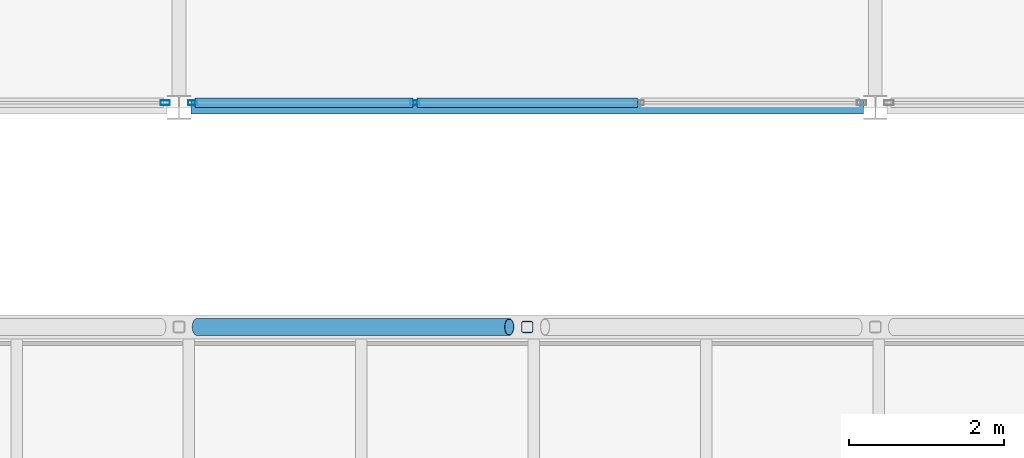
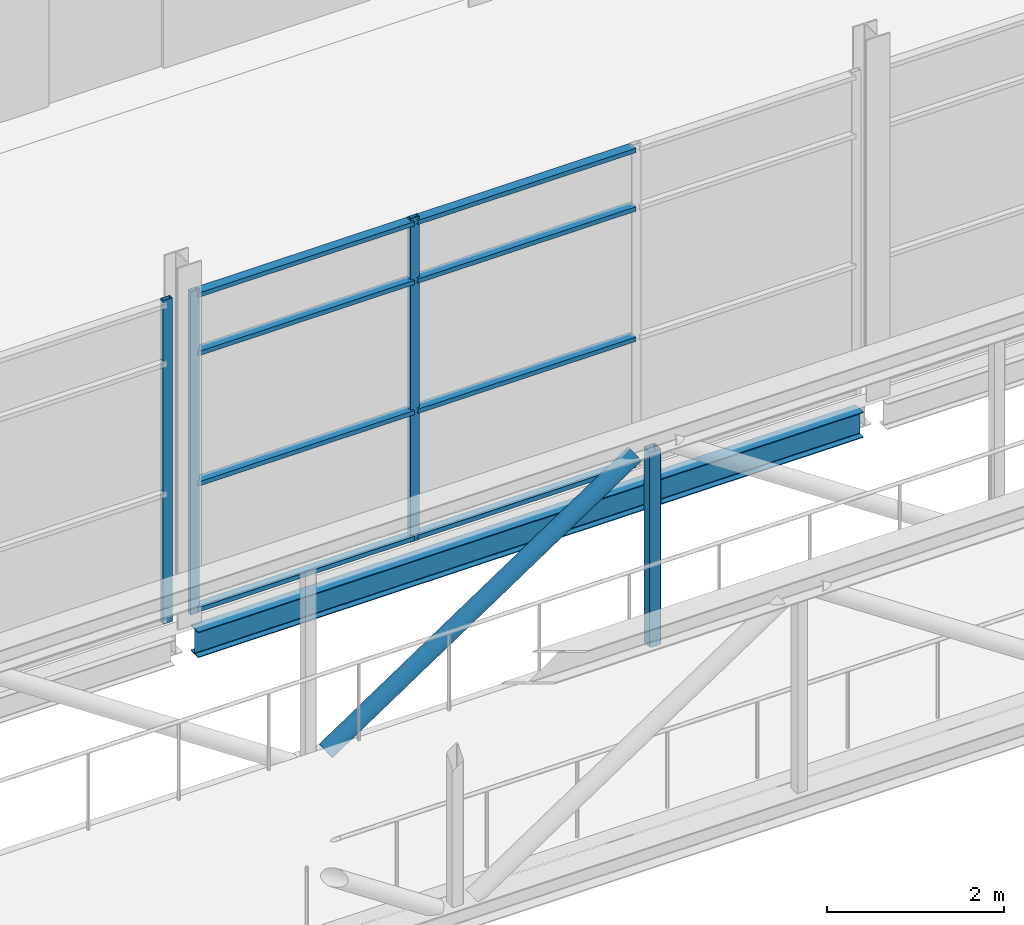
# One storey, part 28 of 94: 13 members, 1 beam, 2 elements without a shape of their own.
"""IFC4 building model written with IfcOpenShell, lengths in metres."""

import ifcopenshell
import ifcopenshell.guid

model = None  # the IFC model being written
_history = None  # IfcOwnerHistory: only IFC2X3 demands one
_inside = {}  # id of a spatial element -> (the spatial element, [elements in it])
_under = {}  # id of a project, library or spatial element -> (it, [spatial elements below it])
_declared = {}  # id of a project -> (the project, [libraries it declares])
_typed = {}  # id of a type object -> (the type object, [elements of that type])
_made_of = {}  # id of a material, layer set ... -> (it, [elements and type objects made of it])


def new_model(schema):
    """Start an empty IFC model of exactly this schema.

    Asked for "IFC4X3", IfcOpenShell would pick the latest addendum, in which some entities
    have other attributes; the version numbers below select the first issue.
    IFC2X3 requires an IfcOwnerHistory on every rooted entity: one is made here for all.
    """
    global model, _history
    if schema == "IFC4X3":
        model = ifcopenshell.file(schema_version=(4, 3, 0, 0))
    else:
        model = ifcopenshell.file(schema=schema)
    _inside.clear()
    _under.clear()
    _declared.clear()
    _typed.clear()
    _made_of.clear()
    _history = None
    if model.schema == "IFC2X3":
        org = make("IfcOrganization", Name="unknown")
        user = make(
            "IfcPersonAndOrganization",
            ThePerson=make("IfcPerson", FamilyName="unknown"),
            TheOrganization=org,
        )
        app = make(
            "IfcApplication",
            ApplicationDeveloper=org,
            Version="unknown",
            ApplicationFullName="unknown",
            ApplicationIdentifier="unknown",
        )
        _history = make(
            "IfcOwnerHistory",
            OwningUser=user,
            OwningApplication=app,
            ChangeAction="ADDED",
            CreationDate=0,
        )
    return model


def make(cls, **values):
    """One entity of the class cls with the attributes given. An attribute that is None is left unset."""
    return model.create_entity(
        cls, **{name: value for name, value in values.items() if value is not None}
    )


def rooted(cls, **values):
    """An entity with a GlobalId (a new one), such as an element, a storey or a relation."""
    return make(cls, GlobalId=ifcopenshell.guid.new(), OwnerHistory=_history, **values)


def si_unit(unit_type, name, prefix=None):
    """IfcSIUnit, for example si_unit("LENGTHUNIT", "METRE", prefix="MILLI")."""
    return make("IfcSIUnit", UnitType=unit_type, Prefix=prefix, Name=name)


def assignment(units):
    """IfcUnitAssignment: the units of a project."""
    return None if units is None else make("IfcUnitAssignment", Units=units)


def point(xyz):
    """IfcCartesianPoint."""
    return None if xyz is None else make("IfcCartesianPoint", Coordinates=xyz)


def direction(xyz):
    """IfcDirection."""
    return None if xyz is None else make("IfcDirection", DirectionRatios=xyz)


def frame(location, z_axis=None, x_axis=None):
    """IfcAxis2Placement3D, a coordinate frame: its origin and axes. An axis left out is left unset."""
    return make(
        "IfcAxis2Placement3D",
        Location=point(location),
        Axis=direction(z_axis),
        RefDirection=direction(x_axis),
    )


def frame_2d(location, x_axis=None):
    """IfcAxis2Placement2D, a coordinate frame in the plane: its origin and x axis."""
    return make(
        "IfcAxis2Placement2D", Location=point(location), RefDirection=direction(x_axis)
    )


def origin():
    """The frame at (0, 0, 0) with its axes left unset."""
    return frame((0.0, 0.0, 0.0))


def origin_2d():
    """The frame at (0, 0) in the plane with its x axis left unset."""
    return frame_2d((0.0, 0.0))


def place(relative_to, where):
    """IfcLocalPlacement: puts the frame where relative to a parent placement (None: the world)."""
    return make(
        "IfcLocalPlacement", PlacementRelTo=relative_to, RelativePlacement=where
    )


def context(
    kind, dimensions, precision=None, world=None, true_north=None, identifier=None
):
    """IfcGeometricRepresentationContext, for example the 3D "Model" context."""
    return make(
        "IfcGeometricRepresentationContext",
        ContextIdentifier=identifier,
        ContextType=kind,
        CoordinateSpaceDimension=dimensions,
        Precision=precision,
        WorldCoordinateSystem=world,
        TrueNorth=true_north,
    )


def subcontext(parent, identifier, kind, view, scale=None):
    """IfcGeometricRepresentationSubContext, for example "Body" below "Model"."""
    return make(
        "IfcGeometricRepresentationSubContext",
        ContextIdentifier=identifier,
        ContextType=kind,
        ParentContext=parent,
        TargetScale=scale,
        TargetView=view,
    )


def project(units=None, contexts=None):
    """IfcProject with its units and contexts."""
    return rooted(
        "IfcProject",
        Name="project",
        RepresentationContexts=contexts,
        UnitsInContext=assignment(units),
    )


def spatial(cls, under=None, at=None, **own):
    """A site, building, storey or space (cls), placed at a placement, below another one or the project."""
    s = rooted(cls, ObjectPlacement=at, **own)
    if under is not None:
        _under.setdefault(under.id(), (under, []))[1].append(s)
    return s


def profile(cls, at=None, kind="AREA", **sizes):
    """A parametric profile (cls). Its sizes go by their IFC names, for example OverallWidth=200.0."""
    return make(cls, ProfileType=kind, Position=at, **sizes)


def hollow_rectangle(**sizes):
    """IfcRectangleHollowProfileDef."""
    return profile("IfcRectangleHollowProfileDef", **sizes)


def hollow_circle(**sizes):
    """IfcCircleHollowProfileDef."""
    return profile("IfcCircleHollowProfileDef", **sizes)


def i_section(**sizes):
    """IfcIShapeProfileDef."""
    return profile("IfcIShapeProfileDef", **sizes)


def extrude(swept, where, along, depth):
    """IfcExtrudedAreaSolid: the profile swept, set in the frame where, extruded along a direction by depth."""
    return make(
        "IfcExtrudedAreaSolid",
        SweptArea=swept,
        Position=where,
        ExtrudedDirection=direction(along),
        Depth=depth,
    )


def shape(context_of_items, identifier, shape_type, items):
    """IfcShapeRepresentation: the items that make up one representation, for example the "Body"."""
    return make(
        "IfcShapeRepresentation",
        ContextOfItems=context_of_items,
        RepresentationIdentifier=identifier,
        RepresentationType=shape_type,
        Items=items,
    )


def material(Name=None, Category=None):
    """IfcMaterial."""
    return make("IfcMaterial", Name=Name, Category=Category)


def layer(
    of_material, thickness, ventilated=None, Name=None, Category=None, Priority=None
):
    """IfcMaterialLayer: one layer of a wall or slab, of a material (None: an air gap)."""
    return make(
        "IfcMaterialLayer",
        Material=of_material,
        LayerThickness=thickness,
        IsVentilated=ventilated,
        Name=Name,
        Category=Category,
        Priority=Priority,
    )


def layer_set(layers, Name=None):
    """IfcMaterialLayerSet."""
    return make("IfcMaterialLayerSet", MaterialLayers=layers, LayerSetName=Name)


def material_profile(
    of_material, cross_section, Name=None, Category=None, Priority=None
):
    """IfcMaterialProfile: a cross section and its material."""
    return make(
        "IfcMaterialProfile",
        Name=Name,
        Material=of_material,
        Profile=cross_section,
        Priority=Priority,
        Category=Category,
    )


def profile_set(profiles, Name=None, composite=None):
    """IfcMaterialProfileSet."""
    return make(
        "IfcMaterialProfileSet",
        Name=Name,
        MaterialProfiles=profiles,
        CompositeProfile=composite,
    )


def made_of(thing, what):
    """Note that an element or type object is made of a material, layer set ...; save() writes the relation."""
    if what is not None:
        _made_of.setdefault(what.id(), (what, []))[1].append(thing)
    return thing


def type_object(cls, material=None, **own):
    """A type object (cls), such as IfcWallType, which elements share."""
    return made_of(rooted(cls, **own), material)


def element(
    cls,
    number,
    at=None,
    inside=None,
    cuts=None,
    type_object=None,
    material=None,
    context=None,
    identifier="Body",
    shape_type=None,
    held_by="IfcProductDefinitionShape",
    body=None,
    shapes=None,
    **own,
):
    """One element of the class cls, such as IfcWall. Its Tag is "e" and its number.

    at: its placement. inside: the storey or other place that contains it. cuts: it is an
    opening in that element (IfcRelVoidsElement). A single representation is given by context,
    identifier, shape_type and body (its items); several are given by shapes. held_by: the class
    of the entity that holds the representations. save() writes the other relations.
    """
    e = rooted(cls, Tag="e%d" % number, ObjectPlacement=at, **own)
    if body is not None:
        shapes = [shape(context, identifier, shape_type, body)]
    if shapes is not None:
        e.Representation = make(held_by, Representations=shapes)
    if inside is not None:
        _inside.setdefault(inside.id(), (inside, []))[1].append(e)
    if cuts is not None:
        rooted(
            "IfcRelVoidsElement", RelatingBuildingElement=cuts, RelatedOpeningElement=e
        )
    if type_object is not None:
        _typed.setdefault(type_object.id(), (type_object, []))[1].append(e)
    return made_of(e, material)


def aggregate(whole, parts):
    """IfcRelAggregates: a whole, such as a stair, and the parts it consists of."""
    return rooted("IfcRelAggregates", RelatingObject=whole, RelatedObjects=parts)


def save(model, path):
    """Write the relations noted so far, then the file.

    IfcRelAggregates (storeys below a building ...), IfcRelContainedInSpatialStructure (elements
    in a storey), IfcRelDefinesByType, IfcRelAssociatesMaterial and IfcRelDeclares: one each for
    every whole, place, type object, material and project.
    """
    for whole, parts in _under.values():
        aggregate(whole, parts)
    for where, things in _inside.values():
        rooted(
            "IfcRelContainedInSpatialStructure",
            RelatedElements=things,
            RelatingStructure=where,
        )
    for kind, things in _typed.values():
        rooted("IfcRelDefinesByType", RelatedObjects=things, RelatingType=kind)
    for what, things in _made_of.values():
        rooted("IfcRelAssociatesMaterial", RelatedObjects=things, RelatingMaterial=what)
    for by, libraries in _declared.values():
        rooted("IfcRelDeclares", RelatingContext=by, RelatedDefinitions=libraries)
    model.write(path)


model = new_model("IFC4")

# Units and contexts
model_context = context("Model", 3, precision=1e-05, world=origin(), true_north=direction((0.0, 1.0)))
body_context = subcontext(model_context, "Body", "Model", "MODEL_VIEW")
ifc_project = project(units=[si_unit("LENGTHUNIT", "METRE"), si_unit("AREAUNIT", "SQUARE_METRE"), si_unit("VOLUMEUNIT", "CUBIC_METRE"), si_unit("PLANEANGLEUNIT", "RADIAN"), si_unit("MASSUNIT", "GRAM", prefix="KILO")], contexts=[model_context])

# Site, building, storey
site_placement = place(None, origin())
site = spatial("IfcSite", under=ifc_project, at=site_placement, CompositionType="ELEMENT")
building_placement = place(site_placement, origin())
building = spatial("IfcBuilding", under=site, at=building_placement, Name="Shorebreak Coast Museum", CompositionType="ELEMENT")
storey_placement = place(building_placement, frame((0.0, 0.0, 31.0)))
storey = spatial("IfcBuildingStorey", under=building, at=storey_placement, Name="L05", CompositionType="ELEMENT", Elevation=31.0)

# Members
ifc_material_1 = material(Name="Steel Grade C350L0", Category="steel")
ifc_material_profile_1 = material_profile(ifc_material_1, hollow_circle(Radius=0.109619140625, WallThickness=0.00830078125, at=origin_2d()), Name="219.1x8.2 CHS")
ifc_profile_set_1 = profile_set([ifc_material_profile_1], Name="Steel Grade C350L0")
member_type_1 = type_object("IfcMemberType", Name="Atrium bridge truss diagonal 219.1x8.2 CHS", PredefinedType="BRACE", material=ifc_profile_set_1)
member_1_placement = place(storey_placement, frame((72.23095703125, 78.16259765625, -0.175048828125), z_axis=(0.832042555046, 0.0, 0.554711804987), x_axis=(0.0, 1.0, 0.0)))
element("IfcMember", 1, at=member_1_placement, inside=storey, type_object=member_type_1, Name="Atrium bridge truss BR3 side B diagonal D03", PredefinedType="BRACE", context=body_context, shape_type="SweptSolid", body=[
    extrude(hollow_circle(Radius=0.109619140625, WallThickness=0.00830078125, at=origin_2d()), origin(), (0.0, 0.0, 1.0), 4.853271484375),
])
ifc_material_2 = material(Name="Steel Grade C450L0", Category="steel")
ifc_material_profile_2 = material_profile(ifc_material_2, hollow_rectangle(XDim=0.14990234375, YDim=0.14990234375, WallThickness=0.009033203125, InnerFilletRadius=0.013427734375, OuterFilletRadius=0.0224609375, at=origin_2d()), Name="150x150x9.0 SHS")
ifc_profile_set_2 = profile_set([ifc_material_profile_2], Name="Steel Grade C450L0")
member_type_2 = type_object("IfcMemberType", Name="Atrium bridge truss strut 150x150x9.0 SHS", PredefinedType="STRUT", material=ifc_profile_set_2)
member_2_placement = place(storey_placement, frame((76.5, 78.16259765625, -0.175048828125), z_axis=(0.0, 0.0, 1.0), x_axis=(1.0, 0.0, 0.0)))
element("IfcMember", 2, at=member_2_placement, inside=storey, type_object=member_type_2, Name="Atrium bridge truss BR3 side B strut V04", PredefinedType="STRUT", context=body_context, shape_type="SweptSolid", body=[
    extrude(hollow_rectangle(XDim=0.14990234375, YDim=0.14990234375, WallThickness=0.009033203125, InnerFilletRadius=0.013427734375, OuterFilletRadius=0.0224609375, at=origin_2d()), origin(), (0.0, 0.0, 1.0), 2.692138671875),
])

# Beam
ifc_material_3 = material(Name="Steel Grade 300", Category="steel")
ifc_material_profile_3 = material_profile(ifc_material_3, i_section(OverallWidth=0.1708984375, OverallDepth=0.355712890625, WebThickness=0.00732421875, FlangeThickness=0.011474609375, FilletRadius=0.011474609375, at=origin_2d()), Name="360UB50.7")
ifc_profile_set_3 = profile_set([ifc_material_profile_3], Name="Steel Grade 300")
beam_type = type_object("IfcBeamType", Name="Floor girder east-west 360UB50.7", PredefinedType="BEAM", material=ifc_profile_set_3)
beam_placement = place(storey_placement, frame((72.153564453125, 81.0, -0.352783203125), z_axis=(1.0, 0.0, 0.0), x_axis=(0.0, 1.0, 0.0)))
element("IfcBeam", 3, at=beam_placement, inside=storey, type_object=beam_type, Name="Floor girder east-west L05 9K", PredefinedType="BEAM", context=body_context, shape_type="SweptSolid", body=[
    extrude(i_section(OverallWidth=0.1708984375, OverallDepth=0.355712890625, WebThickness=0.00732421875, FlangeThickness=0.011474609375, FilletRadius=0.011474609375, at=origin_2d()), origin(), (0.0, 0.0, 1.0), 8.69287109375),
])

# Curtain wall, member
ifc_material_4 = material(Name="Aluminium", Category="aluminium")
ifc_layer = layer(ifc_material_4, 0.1201171875)
ifc_layer_set = layer_set([ifc_layer], Name="Aluminium")
curtain_wall_type = type_object("IfcCurtainWallType", Name="Atrium fire screen", PredefinedType="NOTDEFINED", material=ifc_layer_set)
curtain_wall_1_placement = place(storey_placement, origin())
curtain_wall_1 = element("IfcCurtainWall", 4, at=curtain_wall_1_placement, inside=storey, type_object=curtain_wall_type, Name="Atrium screen L05 N 68", PredefinedType="NOTDEFINED")
ifc_material_5 = material(Name="Aluminium", Category="aluminium")
ifc_material_profile_4 = material_profile(ifc_material_5, hollow_rectangle(XDim=0.06005859375, YDim=0.1201171875, WallThickness=0.00341796875, at=origin_2d()), Name="AL 120x60 RHS")
ifc_profile_set_4 = profile_set([ifc_material_profile_4], Name="Aluminium")
member_type_3 = type_object("IfcMemberType", Name="Screen mullion 50 x 120", PredefinedType="MULLION", material=ifc_profile_set_4)
member_3_placement = place(storey_placement, frame((71.821533203125, 81.06005859375, 0.0), z_axis=(0.0, 0.0, 1.0), x_axis=(0.0, 1.0, 0.0)))
member_3 = element("IfcMember", 5, at=member_3_placement, type_object=member_type_3, Name="CW6 mullion 4", PredefinedType="MULLION", context=body_context, shape_type="SweptSolid", body=[
    extrude(hollow_rectangle(XDim=0.06005859375, YDim=0.1201171875, WallThickness=0.00341796875, at=origin_2d()), origin(), (0.0, 0.0, 1.0), 4.469482421875),
])
aggregate(curtain_wall_1, [member_3])

# Curtain wall, members
curtain_wall_2_placement = place(storey_placement, origin())
curtain_wall_2 = element("IfcCurtainWall", 6, at=curtain_wall_2_placement, inside=storey, type_object=curtain_wall_type, Name="Atrium screen L05 N 69", PredefinedType="NOTDEFINED")
member_4_placement = place(storey_placement, frame((72.178466796875, 81.06005859375, 0.0), z_axis=(0.0, 0.0, 1.0), x_axis=(0.0, 1.0, 0.0)))
member_4 = element("IfcMember", 7, at=member_4_placement, type_object=member_type_3, Name="CW4 mullion 1", PredefinedType="MULLION", context=body_context, shape_type="SweptSolid", body=[
    extrude(hollow_rectangle(XDim=0.06005859375, YDim=0.1201171875, WallThickness=0.00341796875, at=origin_2d()), origin(), (0.0, 0.0, 1.0), 4.469482421875),
])
member_5_placement = place(storey_placement, frame((75.05126953125, 81.06005859375, 0.0), z_axis=(0.0, 0.0, 1.0), x_axis=(0.0, 1.0, 0.0)))
member_5 = element("IfcMember", 8, at=member_5_placement, type_object=member_type_3, Name="CW4 mullion 2", PredefinedType="MULLION", context=body_context, shape_type="SweptSolid", body=[
    extrude(hollow_rectangle(XDim=0.06005859375, YDim=0.1201171875, WallThickness=0.00341796875, at=origin_2d()), origin(), (0.0, 0.0, 1.0), 4.469482421875),
])
ifc_material_6 = material(Name="Aluminium", Category="aluminium")
ifc_material_profile_5 = material_profile(ifc_material_6, hollow_rectangle(XDim=0.1201171875, YDim=0.06005859375, WallThickness=0.00341796875, at=origin_2d()), Name="AL 60x120 RHS")
ifc_profile_set_5 = profile_set([ifc_material_profile_5], Name="Aluminium")
member_type_4 = type_object("IfcMemberType", Name="Screen transom 120 x 50", PredefinedType="USERDEFINED", material=ifc_profile_set_5)
member_6_placement = place(storey_placement, frame((72.20361328125, 81.06005859375, 0.06005859375), z_axis=(1.0, 0.0, 0.0), x_axis=(0.0, 1.0, 0.0)))
member_6 = element("IfcMember", 9, at=member_6_placement, type_object=member_type_4, Name="CW4 transom 1.1", ObjectType="TRANSOM", PredefinedType="USERDEFINED", context=body_context, shape_type="SweptSolid", body=[
    extrude(hollow_rectangle(XDim=0.1201171875, YDim=0.06005859375, WallThickness=0.00341796875, at=origin_2d()), origin(), (0.0, 0.0, 1.0), 2.822509765625),
])
member_7_placement = place(storey_placement, frame((72.20361328125, 81.06005859375, 1.800048828125), z_axis=(1.0, 0.0, 0.0), x_axis=(0.0, 1.0, 0.0)))
member_7 = element("IfcMember", 10, at=member_7_placement, type_object=member_type_4, Name="CW4 transom 1.2", ObjectType="TRANSOM", PredefinedType="USERDEFINED", context=body_context, shape_type="SweptSolid", body=[
    extrude(hollow_rectangle(XDim=0.1201171875, YDim=0.06005859375, WallThickness=0.00341796875, at=origin_2d()), origin(), (0.0, 0.0, 1.0), 2.822509765625),
])
member_8_placement = place(storey_placement, frame((72.20361328125, 81.06005859375, 3.60009765625), z_axis=(1.0, 0.0, 0.0), x_axis=(0.0, 1.0, 0.0)))
member_8 = element("IfcMember", 11, at=member_8_placement, type_object=member_type_4, Name="CW4 transom 1.3", ObjectType="TRANSOM", PredefinedType="USERDEFINED", context=body_context, shape_type="SweptSolid", body=[
    extrude(hollow_rectangle(XDim=0.1201171875, YDim=0.06005859375, WallThickness=0.00341796875, at=origin_2d()), origin(), (0.0, 0.0, 1.0), 2.822509765625),
])
member_9_placement = place(storey_placement, frame((72.20361328125, 81.06005859375, 4.409423828125), z_axis=(1.0, 0.0, 0.0), x_axis=(0.0, 1.0, 0.0)))
member_9 = element("IfcMember", 12, at=member_9_placement, type_object=member_type_4, Name="CW4 transom 1.4", ObjectType="TRANSOM", PredefinedType="USERDEFINED", context=body_context, shape_type="SweptSolid", body=[
    extrude(hollow_rectangle(XDim=0.1201171875, YDim=0.06005859375, WallThickness=0.00341796875, at=origin_2d()), origin(), (0.0, 0.0, 1.0), 2.822509765625),
])
member_10_placement = place(storey_placement, frame((75.076171875, 81.06005859375, 0.06005859375), z_axis=(1.0, 0.0, 0.0), x_axis=(0.0, 1.0, 0.0)))
member_10 = element("IfcMember", 13, at=member_10_placement, type_object=member_type_4, Name="CW4 transom 2.1", ObjectType="TRANSOM", PredefinedType="USERDEFINED", context=body_context, shape_type="SweptSolid", body=[
    extrude(hollow_rectangle(XDim=0.1201171875, YDim=0.06005859375, WallThickness=0.00341796875, at=origin_2d()), origin(), (0.0, 0.0, 1.0), 2.84765625),
])
member_11_placement = place(storey_placement, frame((75.076171875, 81.06005859375, 1.800048828125), z_axis=(1.0, 0.0, 0.0), x_axis=(0.0, 1.0, 0.0)))
member_11 = element("IfcMember", 14, at=member_11_placement, type_object=member_type_4, Name="CW4 transom 2.2", ObjectType="TRANSOM", PredefinedType="USERDEFINED", context=body_context, shape_type="SweptSolid", body=[
    extrude(hollow_rectangle(XDim=0.1201171875, YDim=0.06005859375, WallThickness=0.00341796875, at=origin_2d()), origin(), (0.0, 0.0, 1.0), 2.84765625),
])
member_12_placement = place(storey_placement, frame((75.076171875, 81.06005859375, 3.60009765625), z_axis=(1.0, 0.0, 0.0), x_axis=(0.0, 1.0, 0.0)))
member_12 = element("IfcMember", 15, at=member_12_placement, type_object=member_type_4, Name="CW4 transom 2.3", ObjectType="TRANSOM", PredefinedType="USERDEFINED", context=body_context, shape_type="SweptSolid", body=[
    extrude(hollow_rectangle(XDim=0.1201171875, YDim=0.06005859375, WallThickness=0.00341796875, at=origin_2d()), origin(), (0.0, 0.0, 1.0), 2.84765625),
])
member_13_placement = place(storey_placement, frame((75.076171875, 81.06005859375, 4.409423828125), z_axis=(1.0, 0.0, 0.0), x_axis=(0.0, 1.0, 0.0)))
member_13 = element("IfcMember", 16, at=member_13_placement, type_object=member_type_4, Name="CW4 transom 2.4", ObjectType="TRANSOM", PredefinedType="USERDEFINED", context=body_context, shape_type="SweptSolid", body=[
    extrude(hollow_rectangle(XDim=0.1201171875, YDim=0.06005859375, WallThickness=0.00341796875, at=origin_2d()), origin(), (0.0, 0.0, 1.0), 2.84765625),
])
aggregate(curtain_wall_2, [member_4, member_5, member_6, member_7, member_8, member_9, member_10, member_11, member_12, member_13])

save(model, "model.ifc")
